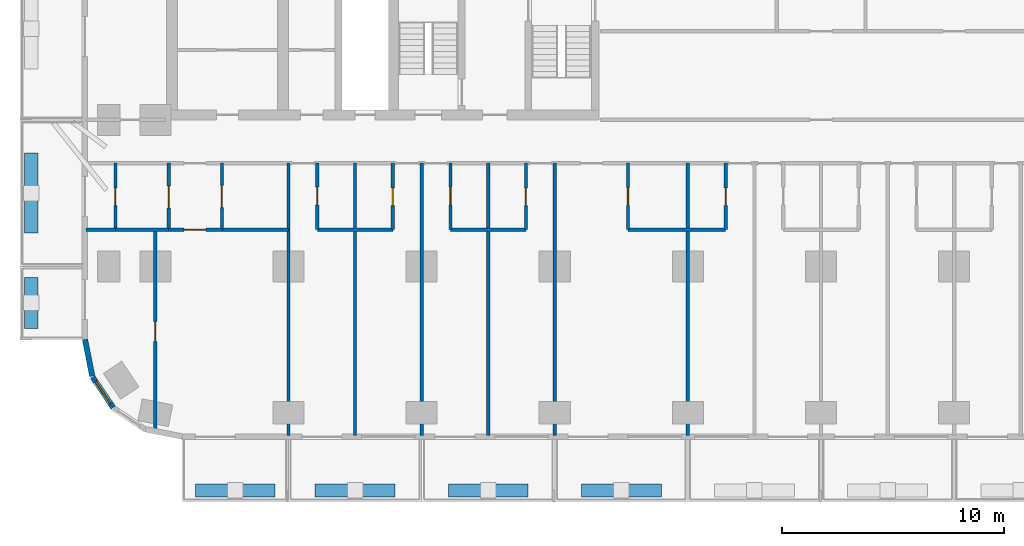
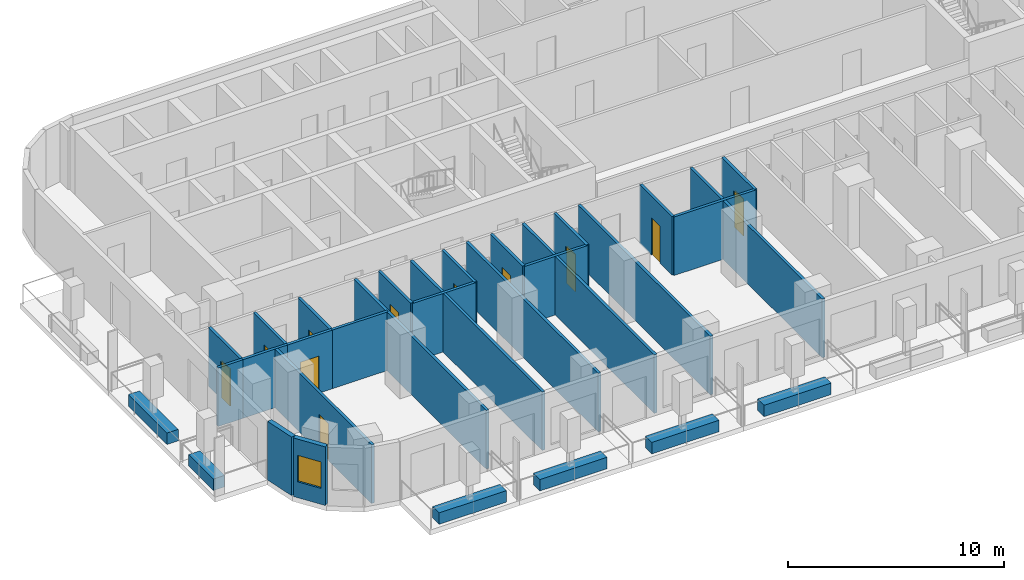
# One storey, part 2 of 15: 31 walls, 11 doors, 1 window, 12 openings.
"""IFC4 building model written with IfcOpenShell, lengths in metres."""

import ifcopenshell
import ifcopenshell.guid

model = None  # the IFC model being written
_history = None  # IfcOwnerHistory: only IFC2X3 demands one
_inside = {}  # id of a spatial element -> (the spatial element, [elements in it])
_under = {}  # id of a project, library or spatial element -> (it, [spatial elements below it])
_declared = {}  # id of a project -> (the project, [libraries it declares])
_typed = {}  # id of a type object -> (the type object, [elements of that type])
_made_of = {}  # id of a material, layer set ... -> (it, [elements and type objects made of it])


def new_model(schema):
    """Start an empty IFC model of exactly this schema.

    Asked for "IFC4X3", IfcOpenShell would pick the latest addendum, in which some entities
    have other attributes; the version numbers below select the first issue.
    IFC2X3 requires an IfcOwnerHistory on every rooted entity: one is made here for all.
    """
    global model, _history
    if schema == "IFC4X3":
        model = ifcopenshell.file(schema_version=(4, 3, 0, 0))
    else:
        model = ifcopenshell.file(schema=schema)
    _inside.clear()
    _under.clear()
    _declared.clear()
    _typed.clear()
    _made_of.clear()
    _history = None
    if model.schema == "IFC2X3":
        org = make("IfcOrganization", Name="unknown")
        user = make(
            "IfcPersonAndOrganization",
            ThePerson=make("IfcPerson", FamilyName="unknown"),
            TheOrganization=org,
        )
        app = make(
            "IfcApplication",
            ApplicationDeveloper=org,
            Version="unknown",
            ApplicationFullName="unknown",
            ApplicationIdentifier="unknown",
        )
        _history = make(
            "IfcOwnerHistory",
            OwningUser=user,
            OwningApplication=app,
            ChangeAction="ADDED",
            CreationDate=0,
        )
    return model


def make(cls, **values):
    """One entity of the class cls with the attributes given. An attribute that is None is left unset."""
    return model.create_entity(
        cls, **{name: value for name, value in values.items() if value is not None}
    )


def rooted(cls, **values):
    """An entity with a GlobalId (a new one), such as an element, a storey or a relation."""
    return make(cls, GlobalId=ifcopenshell.guid.new(), OwnerHistory=_history, **values)


def si_unit(unit_type, name, prefix=None):
    """IfcSIUnit, for example si_unit("LENGTHUNIT", "METRE", prefix="MILLI")."""
    return make("IfcSIUnit", UnitType=unit_type, Prefix=prefix, Name=name)


def assignment(units):
    """IfcUnitAssignment: the units of a project."""
    return None if units is None else make("IfcUnitAssignment", Units=units)


def point(xyz):
    """IfcCartesianPoint."""
    return None if xyz is None else make("IfcCartesianPoint", Coordinates=xyz)


def direction(xyz):
    """IfcDirection."""
    return None if xyz is None else make("IfcDirection", DirectionRatios=xyz)


def frame(location, z_axis=None, x_axis=None):
    """IfcAxis2Placement3D, a coordinate frame: its origin and axes. An axis left out is left unset."""
    return make(
        "IfcAxis2Placement3D",
        Location=point(location),
        Axis=direction(z_axis),
        RefDirection=direction(x_axis),
    )


def frame_2d(location, x_axis=None):
    """IfcAxis2Placement2D, a coordinate frame in the plane: its origin and x axis."""
    return make(
        "IfcAxis2Placement2D", Location=point(location), RefDirection=direction(x_axis)
    )


def origin():
    """The frame at (0, 0, 0) with its axes left unset."""
    return frame((0.0, 0.0, 0.0))


def place(relative_to, where):
    """IfcLocalPlacement: puts the frame where relative to a parent placement (None: the world)."""
    return make(
        "IfcLocalPlacement", PlacementRelTo=relative_to, RelativePlacement=where
    )


def context(
    kind, dimensions, precision=None, world=None, true_north=None, identifier=None
):
    """IfcGeometricRepresentationContext, for example the 3D "Model" context."""
    return make(
        "IfcGeometricRepresentationContext",
        ContextIdentifier=identifier,
        ContextType=kind,
        CoordinateSpaceDimension=dimensions,
        Precision=precision,
        WorldCoordinateSystem=world,
        TrueNorth=true_north,
    )


def subcontext(parent, identifier, kind, view, scale=None):
    """IfcGeometricRepresentationSubContext, for example "Body" below "Model"."""
    return make(
        "IfcGeometricRepresentationSubContext",
        ContextIdentifier=identifier,
        ContextType=kind,
        ParentContext=parent,
        TargetScale=scale,
        TargetView=view,
    )


def project(units=None, contexts=None):
    """IfcProject with its units and contexts."""
    return rooted(
        "IfcProject",
        Name="project",
        RepresentationContexts=contexts,
        UnitsInContext=assignment(units),
    )


def spatial(cls, under=None, at=None, **own):
    """A site, building, storey or space (cls), placed at a placement, below another one or the project."""
    s = rooted(cls, ObjectPlacement=at, **own)
    if under is not None:
        _under.setdefault(under.id(), (under, []))[1].append(s)
    return s


def profile(cls, at=None, kind="AREA", **sizes):
    """A parametric profile (cls). Its sizes go by their IFC names, for example OverallWidth=200.0."""
    return make(cls, ProfileType=kind, Position=at, **sizes)


def rectangle(**sizes):
    """IfcRectangleProfileDef."""
    return profile("IfcRectangleProfileDef", **sizes)


def extrude(swept, where, along, depth):
    """IfcExtrudedAreaSolid: the profile swept, set in the frame where, extruded along a direction by depth."""
    return make(
        "IfcExtrudedAreaSolid",
        SweptArea=swept,
        Position=where,
        ExtrudedDirection=direction(along),
        Depth=depth,
    )


def shape(context_of_items, identifier, shape_type, items):
    """IfcShapeRepresentation: the items that make up one representation, for example the "Body"."""
    return make(
        "IfcShapeRepresentation",
        ContextOfItems=context_of_items,
        RepresentationIdentifier=identifier,
        RepresentationType=shape_type,
        Items=items,
    )


def material(Name=None, Category=None):
    """IfcMaterial."""
    return make("IfcMaterial", Name=Name, Category=Category)


def layer(
    of_material, thickness, ventilated=None, Name=None, Category=None, Priority=None
):
    """IfcMaterialLayer: one layer of a wall or slab, of a material (None: an air gap)."""
    return make(
        "IfcMaterialLayer",
        Material=of_material,
        LayerThickness=thickness,
        IsVentilated=ventilated,
        Name=Name,
        Category=Category,
        Priority=Priority,
    )


def layer_set(layers, Name=None):
    """IfcMaterialLayerSet."""
    return make("IfcMaterialLayerSet", MaterialLayers=layers, LayerSetName=Name)


def made_of(thing, what):
    """Note that an element or type object is made of a material, layer set ...; save() writes the relation."""
    if what is not None:
        _made_of.setdefault(what.id(), (what, []))[1].append(thing)
    return thing


def type_object(cls, material=None, **own):
    """A type object (cls), such as IfcWallType, which elements share."""
    return made_of(rooted(cls, **own), material)


def element(
    cls,
    number,
    at=None,
    inside=None,
    cuts=None,
    type_object=None,
    material=None,
    context=None,
    identifier="Body",
    shape_type=None,
    held_by="IfcProductDefinitionShape",
    body=None,
    shapes=None,
    **own,
):
    """One element of the class cls, such as IfcWall. Its Tag is "e" and its number.

    at: its placement. inside: the storey or other place that contains it. cuts: it is an
    opening in that element (IfcRelVoidsElement). A single representation is given by context,
    identifier, shape_type and body (its items); several are given by shapes. held_by: the class
    of the entity that holds the representations. save() writes the other relations.
    """
    e = rooted(cls, Tag="e%d" % number, ObjectPlacement=at, **own)
    if body is not None:
        shapes = [shape(context, identifier, shape_type, body)]
    if shapes is not None:
        e.Representation = make(held_by, Representations=shapes)
    if inside is not None:
        _inside.setdefault(inside.id(), (inside, []))[1].append(e)
    if cuts is not None:
        rooted(
            "IfcRelVoidsElement", RelatingBuildingElement=cuts, RelatedOpeningElement=e
        )
    if type_object is not None:
        _typed.setdefault(type_object.id(), (type_object, []))[1].append(e)
    return made_of(e, material)


def fill(opening, filler):
    """IfcRelFillsElement: the door or window that sits in an opening."""
    return rooted(
        "IfcRelFillsElement",
        RelatingOpeningElement=opening,
        RelatedBuildingElement=filler,
    )


def aggregate(whole, parts):
    """IfcRelAggregates: a whole, such as a stair, and the parts it consists of."""
    return rooted("IfcRelAggregates", RelatingObject=whole, RelatedObjects=parts)


def save(model, path):
    """Write the relations noted so far, then the file.

    IfcRelAggregates (storeys below a building ...), IfcRelContainedInSpatialStructure (elements
    in a storey), IfcRelDefinesByType, IfcRelAssociatesMaterial and IfcRelDeclares: one each for
    every whole, place, type object, material and project.
    """
    for whole, parts in _under.values():
        aggregate(whole, parts)
    for where, things in _inside.values():
        rooted(
            "IfcRelContainedInSpatialStructure",
            RelatedElements=things,
            RelatingStructure=where,
        )
    for kind, things in _typed.values():
        rooted("IfcRelDefinesByType", RelatedObjects=things, RelatingType=kind)
    for what, things in _made_of.values():
        rooted("IfcRelAssociatesMaterial", RelatedObjects=things, RelatingMaterial=what)
    for by, libraries in _declared.values():
        rooted("IfcRelDeclares", RelatingContext=by, RelatedDefinitions=libraries)
    model.write(path)


model = new_model("IFC4")

# Units and contexts
model_context = context("Model", 3, precision=1e-05, world=origin(), true_north=direction((0.0, 1.0)))
body_context = subcontext(model_context, "Body", "Model", "MODEL_VIEW")
ifc_project = project(units=[si_unit("LENGTHUNIT", "METRE"), si_unit("AREAUNIT", "SQUARE_METRE"), si_unit("VOLUMEUNIT", "CUBIC_METRE"), si_unit("PLANEANGLEUNIT", "RADIAN"), si_unit("MASSUNIT", "GRAM", prefix="KILO")], contexts=[model_context])

# Site, building, storey
site_placement = place(None, origin())
site = spatial("IfcSite", under=ifc_project, at=site_placement, CompositionType="ELEMENT")
building_placement = place(site_placement, origin())
building = spatial("IfcBuilding", under=site, at=building_placement, Name="Torana Hotel and Residences", CompositionType="ELEMENT")
storey_placement = place(building_placement, frame((0.0, 0.0, 24.0)))
storey = spatial("IfcBuildingStorey", under=building, at=storey_placement, Name="L04", CompositionType="ELEMENT", Elevation=24.0)

# Wall
ifc_material_1 = material(Name="Black aluminium composite panel", Category="aluminium")
ifc_layer_1 = layer(ifc_material_1, 0.00390625, Name="Cladding", Category="cladding")
ifc_material_2 = material(Name="Ventilated air cavity")
ifc_layer_2 = layer(ifc_material_2, 0.0400390625, Name="Ventilated cavity", Category="cavity")
ifc_material_3 = material(Name="Mineral wool insulation")
ifc_layer_3 = layer(ifc_material_3, 0.090087890625, Name="Insulation", Category="insulation")
ifc_material_4 = material(Name="Steel S280GD", Category="steel")
ifc_layer_4 = layer(ifc_material_4, 0.092041015625, Name="Steel stud frame", Category="structure")
ifc_material_5 = material(Name="Fire rated plasterboard")
ifc_layer_5 = layer(ifc_material_5, 0.011962890625, Name="Inner board", Category="finish")
ifc_layer_6 = layer(ifc_material_5, 0.011962890625, Name="Second board", Category="finish")
ifc_layer_set_1 = layer_set([ifc_layer_1, ifc_layer_2, ifc_layer_3, ifc_layer_4, ifc_layer_5, ifc_layer_6], Name="EW1 EXTERNAL WALL BLACK METAL CLAD 250")
wall_type_1 = type_object("IfcWallType", Name="EW1 EXTERNAL WALL BLACK METAL CLAD 250", PredefinedType="SOLIDWALL", material=ifc_layer_set_1)
wall_1_placement = place(storey_placement, frame((-33.172607421875, -24.89990234375, 0.0), z_axis=(0.0, 0.0, 1.0), x_axis=(0.195166572128, -0.980770110232, 0.0)))
element("IfcWall", 1, at=wall_1_placement, inside=storey, type_object=wall_type_1, Name="External wall L04 e0.10", PredefinedType="SOLIDWALL", context=body_context, shape_type="SweptSolid", body=[
    extrude(rectangle(XDim=1.68115234375, YDim=0.25, at=frame_2d((0.840576171875, 0.0))), origin(), (0.0, 0.0, 1.0), 3.320068359375),
])

# Wall, opening, window
wall_2_placement = place(storey_placement, frame((-32.825927734375, -26.593994140625, 0.0), z_axis=(0.0, 0.0, 1.0), x_axis=(0.55555029066, -0.831482937015, 0.0)))
wall_2 = element("IfcWall", 2, at=wall_2_placement, inside=storey, type_object=wall_type_1, Name="External wall L04 e0.11", PredefinedType="SOLIDWALL", context=body_context, shape_type="SweptSolid", body=[
    extrude(rectangle(XDim=1.65625, YDim=0.25, at=frame_2d((0.828125, 0.0))), origin(), (0.0, 0.0, 1.0), 3.320068359375),
])
opening_1_placement = place(wall_2_placement, frame((0.228271484375, 0.0, 0.89990234375)))
opening_1 = element("IfcOpeningElement", 3, at=opening_1_placement, cuts=wall_2, Name="Opening W5", PredefinedType="OPENING", context=body_context, shape_type="SweptSolid", body=[
    extrude(rectangle(XDim=1.199951171875, YDim=1.5, at=frame_2d((0.60009765625, 0.75))), frame((0.0, 0.135009765625, 0.0), z_axis=(0.0, -1.0, 0.0), x_axis=(1.0, 0.0, 0.0)), (0.0, 0.0, 1.0), 0.27001953125),
])
ifc_material_6 = material(Name="Dark glass in black aluminium frame", Category="aluminium")
window_type = type_object("IfcWindowType", Name="W5 CORNER FACET WINDOW 1200x1500", PartitioningType="SINGLE_PANEL", PredefinedType="WINDOW", material=ifc_material_6)
window_placement = place(opening_1_placement, origin())
window = element("IfcWindow", 4, at=window_placement, inside=storey, type_object=window_type, Name="Window L04 e0.11", OverallHeight=1.5, OverallWidth=1.199951171875, PartitioningType="SINGLE_PANEL", PredefinedType="WINDOW", context=body_context, shape_type="SweptSolid", body=[
    extrude(rectangle(XDim=1.199951171875, YDim=1.5, at=frame_2d((0.60009765625, 0.75))), frame((0.0, 0.030029296875, 0.0), z_axis=(0.0, -1.0, 0.0), x_axis=(1.0, 0.0, 0.0)), (0.0, 0.0, 1.0), 0.06005859375),
])
fill(opening_1, window)

# Wall, opening, door
ifc_material_7 = material(Name="Gypsum plaster")
ifc_layer_7 = layer(ifc_material_7, 0.014892578125, Name="Plaster", Category="finish")
ifc_material_8 = material(Name="Concrete blockwork", Category="masonry")
ifc_layer_8 = layer(ifc_material_8, 0.1201171875, Name="Blockwork", Category="structure")
ifc_layer_9 = layer(ifc_material_7, 0.014892578125, Name="Plaster", Category="finish")
ifc_layer_set_2 = layer_set([ifc_layer_7, ifc_layer_8, ifc_layer_9], Name="FIRE PARTITION 150 BLOCKWORK")
wall_type_2 = type_object("IfcWallType", Name="FIRE PARTITION 150 BLOCKWORK", PredefinedType="PARTITIONING", material=ifc_layer_set_2)
wall_3_placement = place(storey_placement, frame((-27.0, -19.949951171875, 0.0), z_axis=(0.0, 0.0, 1.0), x_axis=(0.0, 1.0, 0.0)))
wall_3 = element("IfcWall", 5, at=wall_3_placement, inside=storey, type_object=wall_type_2, Name="Partition L04", PredefinedType="PARTITIONING", context=body_context, shape_type="SweptSolid", body=[
    extrude(rectangle(XDim=3.0, YDim=0.14990234375, at=frame_2d((1.5, 0.0))), origin(), (0.0, 0.0, 1.0), 3.320068359375),
])
opening_2_placement = place(wall_3_placement, frame((1.0, 0.0, 0.0)))
opening_2 = element("IfcOpeningElement", 6, at=opening_2_placement, cuts=wall_3, Name="Opening L04-82", PredefinedType="OPENING", context=body_context, shape_type="SweptSolid", body=[
    extrude(rectangle(XDim=1.0, YDim=2.10009765625, at=frame_2d((0.5, 1.050048828125))), frame((0.0, 0.0849609375, 0.0), z_axis=(0.0, -1.0, 0.0), x_axis=(1.0, 0.0, 0.0)), (0.0, 0.0, 1.0), 0.169921875),
])
ifc_material_9 = material(Name="Steel S235", Category="steel")
door_type_1 = type_object("IfcDoorType", Name="ENTRY FIRE DOOR D6 1000x2100", OperationType="SINGLE_SWING_LEFT", PredefinedType="DOOR", material=ifc_material_9)
door_1_placement = place(opening_2_placement, frame((0.5, 0.0, 0.0), z_axis=(0.0, 0.0, 1.0), x_axis=(-1.0, 0.0, 0.0)))
door_1 = element("IfcDoor", 7, at=door_1_placement, inside=storey, type_object=door_type_1, Name="Door L04", OperationType="SINGLE_SWING_LEFT", OverallHeight=2.10009765625, OverallWidth=1.0, PredefinedType="DOOR", context=body_context, shape_type="SweptSolid", body=[
    extrude(rectangle(XDim=1.0, YDim=2.10009765625, at=frame_2d((0.0, 1.050048828125))), frame((0.0, -0.02490234375, 0.0), z_axis=(0.0, 1.0, 0.0), x_axis=(-1.0, 0.0, 0.0)), (0.0, 0.0, 1.0), 0.050048828125),
])
fill(opening_2, door_1)

wall_4_placement = place(storey_placement, frame((-29.39990234375, -19.949951171875, 0.0), z_axis=(0.0, 0.0, 1.0), x_axis=(0.0, 1.0, 0.0)))
wall_4 = element("IfcWall", 8, at=wall_4_placement, inside=storey, type_object=wall_type_2, Name="Partition L04", PredefinedType="PARTITIONING", context=body_context, shape_type="SweptSolid", body=[
    extrude(rectangle(XDim=3.0, YDim=0.14990234375, at=frame_2d((1.5, 0.0))), origin(), (0.0, 0.0, 1.0), 3.320068359375),
])
opening_3_placement = place(wall_4_placement, frame((0.97998046875, 0.0, 0.0)))
opening_3 = element("IfcOpeningElement", 9, at=opening_3_placement, cuts=wall_4, Name="Opening L04-83", PredefinedType="OPENING", context=body_context, shape_type="SweptSolid", body=[
    extrude(rectangle(XDim=1.0, YDim=2.10009765625, at=frame_2d((0.5, 1.050048828125))), frame((0.0, 0.0849609375, 0.0), z_axis=(0.0, -1.0, 0.0), x_axis=(1.0, 0.0, 0.0)), (0.0, 0.0, 1.0), 0.169921875),
])
door_2_placement = place(opening_3_placement, origin())
door_2 = element("IfcDoor", 10, at=door_2_placement, inside=storey, type_object=door_type_1, Name="Door L04", OperationType="SINGLE_SWING_RIGHT", OverallHeight=2.10009765625, OverallWidth=1.0, PredefinedType="DOOR", context=body_context, shape_type="SweptSolid", body=[
    extrude(rectangle(XDim=1.0, YDim=2.10009765625, at=frame_2d((0.5, 1.050048828125))), frame((0.0, 0.02490234375, 0.0), z_axis=(0.0, -1.0, 0.0), x_axis=(1.0, 0.0, 0.0)), (0.0, 0.0, 1.0), 0.050048828125),
])
fill(opening_3, door_2)

wall_5_placement = place(storey_placement, frame((-29.39990234375, -19.949951171875, 0.0), z_axis=(0.0, 0.0, 1.0), x_axis=(1.0, 0.0, 0.0)))
wall_5 = element("IfcWall", 11, at=wall_5_placement, inside=storey, type_object=wall_type_2, Name="Partition L04", PredefinedType="PARTITIONING", context=body_context, shape_type="SweptSolid", body=[
    extrude(rectangle(XDim=2.39990234375, YDim=0.14990234375, at=frame_2d((1.199951171875, 0.0))), origin(), (0.0, 0.0, 1.0), 3.320068359375),
])
opening_4_placement = place(wall_5_placement, frame((0.679931640625, 0.0, 0.0)))
opening_4 = element("IfcOpeningElement", 12, at=opening_4_placement, cuts=wall_5, Name="Opening L04-84", PredefinedType="OPENING", context=body_context, shape_type="SweptSolid", body=[
    extrude(rectangle(XDim=1.0, YDim=2.10009765625, at=frame_2d((0.5, 1.050048828125))), frame((0.0, 0.0849609375, 0.0), z_axis=(0.0, -1.0, 0.0), x_axis=(1.0, 0.0, 0.0)), (0.0, 0.0, 1.0), 0.169921875),
])
door_3_placement = place(opening_4_placement, frame((0.5, 0.0, 0.0), z_axis=(0.0, 0.0, 1.0), x_axis=(-1.0, 0.0, 0.0)))
door_3 = element("IfcDoor", 13, at=door_3_placement, inside=storey, type_object=door_type_1, Name="Door L04", OperationType="SINGLE_SWING_LEFT", OverallHeight=2.10009765625, OverallWidth=1.0, PredefinedType="DOOR", context=body_context, shape_type="SweptSolid", body=[
    extrude(rectangle(XDim=1.0, YDim=2.10009765625, at=frame_2d((0.0, 1.050048828125))), frame((0.0, -0.02490234375, 0.0), z_axis=(0.0, 1.0, 0.0), x_axis=(-1.0, 0.0, 0.0)), (0.0, 0.0, 1.0), 0.050048828125),
])
fill(opening_4, door_3)

ifc_material_10 = material(Name="Gypsum plasterboard")
ifc_layer_10 = layer(ifc_material_10, 0.012451171875, Name="Plasterboard", Category="finish")
ifc_layer_11 = layer(ifc_material_10, 0.012451171875, Name="Plasterboard", Category="finish")
ifc_layer_12 = layer(ifc_material_4, 0.10009765625, Name="Steel studs with mineral wool", Category="insulation")
ifc_layer_13 = layer(ifc_material_10, 0.012451171875, Name="Plasterboard", Category="finish")
ifc_layer_14 = layer(ifc_material_10, 0.012451171875, Name="Plasterboard", Category="finish")
ifc_layer_set_3 = layer_set([ifc_layer_10, ifc_layer_11, ifc_layer_12, ifc_layer_13, ifc_layer_14], Name="PARTITION 150 PLASTERBOARD")
wall_type_3 = type_object("IfcWallType", Name="PARTITION 150 PLASTERBOARD", PredefinedType="PARTITIONING", material=ifc_layer_set_3)
wall_6_placement = place(storey_placement, frame((-4.300048828125, -19.949951171875, 0.0), z_axis=(0.0, 0.0, 1.0), x_axis=(0.0, 1.0, 0.0)))
wall_6 = element("IfcWall", 14, at=wall_6_placement, inside=storey, type_object=wall_type_3, Name="Partition L04", PredefinedType="PARTITIONING", context=body_context, shape_type="SweptSolid", body=[
    extrude(rectangle(XDim=3.0, YDim=0.14990234375, at=frame_2d((1.5, 0.0))), origin(), (0.0, 0.0, 1.0), 3.320068359375),
])
opening_5_placement = place(wall_6_placement, frame((1.080078125, 0.0, 0.0)))
opening_5 = element("IfcOpeningElement", 15, at=opening_5_placement, cuts=wall_6, Name="Opening L04-72", PredefinedType="OPENING", context=body_context, shape_type="SweptSolid", body=[
    extrude(rectangle(XDim=0.800048828125, YDim=2.10009765625, at=frame_2d((0.39990234375, 1.050048828125))), frame((0.0, 0.0849609375, 0.0), z_axis=(0.0, -1.0, 0.0), x_axis=(1.0, 0.0, 0.0)), (0.0, 0.0, 1.0), 0.169921875),
])
ifc_material_11 = material(Name="Timber door, painted", Category="wood")
door_type_2 = type_object("IfcDoorType", Name="BATH DOOR D13 800x2100", OperationType="SINGLE_SWING_LEFT", PredefinedType="DOOR", material=ifc_material_11)
door_4_placement = place(opening_5_placement, origin())
door_4 = element("IfcDoor", 16, at=door_4_placement, inside=storey, type_object=door_type_2, Name="Door L04", OperationType="SINGLE_SWING_RIGHT", OverallHeight=2.10009765625, OverallWidth=0.800048828125, PredefinedType="DOOR", context=body_context, shape_type="SweptSolid", body=[
    extrude(rectangle(XDim=0.800048828125, YDim=2.10009765625, at=frame_2d((0.39990234375, 1.050048828125))), frame((0.0, 0.02490234375, 0.0), z_axis=(0.0, -1.0, 0.0), x_axis=(1.0, 0.0, 0.0)), (0.0, 0.0, 1.0), 0.050048828125),
])
fill(opening_5, door_4)

# Wall
wall_7_placement = place(storey_placement, frame((-6.0, -29.219970703125, 0.0), z_axis=(0.0, 0.0, 1.0), x_axis=(0.0, 1.0, 0.0)))
element("IfcWall", 17, at=wall_7_placement, inside=storey, type_object=wall_type_3, Name="Partition L04", PredefinedType="PARTITIONING", context=body_context, shape_type="SweptSolid", body=[
    extrude(rectangle(XDim=12.27001953125, YDim=0.14990234375, at=frame_2d((6.135009765625, 0.0))), origin(), (0.0, 0.0, 1.0), 3.320068359375),
])

# Wall, opening, door
wall_8_placement = place(storey_placement, frame((-8.699951171875, -19.949951171875, 0.0), z_axis=(0.0, 0.0, 1.0), x_axis=(0.0, 1.0, 0.0)))
wall_8 = element("IfcWall", 18, at=wall_8_placement, inside=storey, type_object=wall_type_3, Name="Partition L04", PredefinedType="PARTITIONING", context=body_context, shape_type="SweptSolid", body=[
    extrude(rectangle(XDim=3.0, YDim=0.14990234375, at=frame_2d((1.5, 0.0))), origin(), (0.0, 0.0, 1.0), 3.320068359375),
])
opening_6_placement = place(wall_8_placement, frame((1.10009765625, 0.0, 0.0)))
opening_6 = element("IfcOpeningElement", 19, at=opening_6_placement, cuts=wall_8, Name="Opening L04-71", PredefinedType="OPENING", context=body_context, shape_type="SweptSolid", body=[
    extrude(rectangle(XDim=0.800048828125, YDim=2.10009765625, at=frame_2d((0.39990234375, 1.050048828125))), frame((0.0, 0.0849609375, 0.0), z_axis=(0.0, -1.0, 0.0), x_axis=(1.0, 0.0, 0.0)), (0.0, 0.0, 1.0), 0.169921875),
])
door_5_placement = place(opening_6_placement, origin())
door_5 = element("IfcDoor", 20, at=door_5_placement, inside=storey, type_object=door_type_2, Name="Door L04", OperationType="SINGLE_SWING_LEFT", OverallHeight=2.10009765625, OverallWidth=0.800048828125, PredefinedType="DOOR", context=body_context, shape_type="SweptSolid", body=[
    extrude(rectangle(XDim=0.800048828125, YDim=2.10009765625, at=frame_2d((0.39990234375, 1.050048828125))), frame((0.0, 0.02490234375, 0.0), z_axis=(0.0, -1.0, 0.0), x_axis=(1.0, 0.0, 0.0)), (0.0, 0.0, 1.0), 0.050048828125),
])
fill(opening_6, door_5)

# Wall
wall_9_placement = place(storey_placement, frame((-12.0, -29.219970703125, 0.0), z_axis=(0.0, 0.0, 1.0), x_axis=(0.0, 1.0, 0.0)))
element("IfcWall", 21, at=wall_9_placement, inside=storey, type_object=wall_type_3, Name="Partition L04", PredefinedType="PARTITIONING", context=body_context, shape_type="SweptSolid", body=[
    extrude(rectangle(XDim=12.27001953125, YDim=0.14990234375, at=frame_2d((6.135009765625, 0.0))), origin(), (0.0, 0.0, 1.0), 3.320068359375),
])

# Wall, opening, door
wall_10_placement = place(storey_placement, frame((-13.300048828125, -19.949951171875, 0.0), z_axis=(0.0, 0.0, 1.0), x_axis=(0.0, 1.0, 0.0)))
wall_10 = element("IfcWall", 22, at=wall_10_placement, inside=storey, type_object=wall_type_3, Name="Partition L04", PredefinedType="PARTITIONING", context=body_context, shape_type="SweptSolid", body=[
    extrude(rectangle(XDim=3.0, YDim=0.14990234375, at=frame_2d((1.5, 0.0))), origin(), (0.0, 0.0, 1.0), 3.320068359375),
])
opening_7_placement = place(wall_10_placement, frame((1.080078125, 0.0, 0.0)))
opening_7 = element("IfcOpeningElement", 23, at=opening_7_placement, cuts=wall_10, Name="Opening L04-70", PredefinedType="OPENING", context=body_context, shape_type="SweptSolid", body=[
    extrude(rectangle(XDim=0.800048828125, YDim=2.10009765625, at=frame_2d((0.39990234375, 1.050048828125))), frame((0.0, 0.0849609375, 0.0), z_axis=(0.0, -1.0, 0.0), x_axis=(1.0, 0.0, 0.0)), (0.0, 0.0, 1.0), 0.169921875),
])
door_6_placement = place(opening_7_placement, origin())
door_6 = element("IfcDoor", 24, at=door_6_placement, inside=storey, type_object=door_type_2, Name="Door L04", OperationType="SINGLE_SWING_RIGHT", OverallHeight=2.10009765625, OverallWidth=0.800048828125, PredefinedType="DOOR", context=body_context, shape_type="SweptSolid", body=[
    extrude(rectangle(XDim=0.800048828125, YDim=2.10009765625, at=frame_2d((0.39990234375, 1.050048828125))), frame((0.0, 0.02490234375, 0.0), z_axis=(0.0, -1.0, 0.0), x_axis=(1.0, 0.0, 0.0)), (0.0, 0.0, 1.0), 0.050048828125),
])
fill(opening_7, door_6)

# Wall
wall_11_placement = place(storey_placement, frame((-15.0, -29.219970703125, 0.0), z_axis=(0.0, 0.0, 1.0), x_axis=(0.0, 1.0, 0.0)))
element("IfcWall", 25, at=wall_11_placement, inside=storey, type_object=wall_type_3, Name="Partition L04", PredefinedType="PARTITIONING", context=body_context, shape_type="SweptSolid", body=[
    extrude(rectangle(XDim=12.27001953125, YDim=0.14990234375, at=frame_2d((6.135009765625, 0.0))), origin(), (0.0, 0.0, 1.0), 3.320068359375),
])

# Wall, opening, door
wall_12_placement = place(storey_placement, frame((-16.699951171875, -19.949951171875, 0.0), z_axis=(0.0, 0.0, 1.0), x_axis=(0.0, 1.0, 0.0)))
wall_12 = element("IfcWall", 26, at=wall_12_placement, inside=storey, type_object=wall_type_3, Name="Partition L04", PredefinedType="PARTITIONING", context=body_context, shape_type="SweptSolid", body=[
    extrude(rectangle(XDim=3.0, YDim=0.14990234375, at=frame_2d((1.5, 0.0))), origin(), (0.0, 0.0, 1.0), 3.320068359375),
])
opening_8_placement = place(wall_12_placement, frame((1.1201171875, 0.0, 0.0)))
opening_8 = element("IfcOpeningElement", 27, at=opening_8_placement, cuts=wall_12, Name="Opening L04-69", PredefinedType="OPENING", context=body_context, shape_type="SweptSolid", body=[
    extrude(rectangle(XDim=0.800048828125, YDim=2.10009765625, at=frame_2d((0.39990234375, 1.050048828125))), frame((0.0, 0.0849609375, 0.0), z_axis=(0.0, -1.0, 0.0), x_axis=(1.0, 0.0, 0.0)), (0.0, 0.0, 1.0), 0.169921875),
])
door_7_placement = place(opening_8_placement, origin())
door_7 = element("IfcDoor", 28, at=door_7_placement, inside=storey, type_object=door_type_2, Name="Door L04", OperationType="SINGLE_SWING_LEFT", OverallHeight=2.10009765625, OverallWidth=0.800048828125, PredefinedType="DOOR", context=body_context, shape_type="SweptSolid", body=[
    extrude(rectangle(XDim=0.800048828125, YDim=2.10009765625, at=frame_2d((0.39990234375, 1.050048828125))), frame((0.0, 0.02490234375, 0.0), z_axis=(0.0, -1.0, 0.0), x_axis=(1.0, 0.0, 0.0)), (0.0, 0.0, 1.0), 0.050048828125),
])
fill(opening_8, door_7)

# Wall
wall_13_placement = place(storey_placement, frame((-18.0, -29.219970703125, 0.0), z_axis=(0.0, 0.0, 1.0), x_axis=(0.0, 1.0, 0.0)))
element("IfcWall", 29, at=wall_13_placement, inside=storey, type_object=wall_type_3, Name="Partition L04", PredefinedType="PARTITIONING", context=body_context, shape_type="SweptSolid", body=[
    extrude(rectangle(XDim=12.27001953125, YDim=0.14990234375, at=frame_2d((6.135009765625, 0.0))), origin(), (0.0, 0.0, 1.0), 3.320068359375),
])

# Wall, opening, door
wall_14_placement = place(storey_placement, frame((-19.300048828125, -19.949951171875, 0.0), z_axis=(0.0, 0.0, 1.0), x_axis=(0.0, 1.0, 0.0)))
wall_14 = element("IfcWall", 30, at=wall_14_placement, inside=storey, type_object=wall_type_3, Name="Partition L04", PredefinedType="PARTITIONING", context=body_context, shape_type="SweptSolid", body=[
    extrude(rectangle(XDim=3.0, YDim=0.14990234375, at=frame_2d((1.5, 0.0))), origin(), (0.0, 0.0, 1.0), 3.320068359375),
])
opening_9_placement = place(wall_14_placement, frame((1.080078125, 0.0, 0.0)))
opening_9 = element("IfcOpeningElement", 31, at=opening_9_placement, cuts=wall_14, Name="Opening L04-68", PredefinedType="OPENING", context=body_context, shape_type="SweptSolid", body=[
    extrude(rectangle(XDim=0.800048828125, YDim=2.10009765625, at=frame_2d((0.39990234375, 1.050048828125))), frame((0.0, 0.0849609375, 0.0), z_axis=(0.0, -1.0, 0.0), x_axis=(1.0, 0.0, 0.0)), (0.0, 0.0, 1.0), 0.169921875),
])
door_8_placement = place(opening_9_placement, origin())
door_8 = element("IfcDoor", 32, at=door_8_placement, inside=storey, type_object=door_type_2, Name="Door L04", OperationType="SINGLE_SWING_RIGHT", OverallHeight=2.10009765625, OverallWidth=0.800048828125, PredefinedType="DOOR", context=body_context, shape_type="SweptSolid", body=[
    extrude(rectangle(XDim=0.800048828125, YDim=2.10009765625, at=frame_2d((0.39990234375, 1.050048828125))), frame((0.0, 0.02490234375, 0.0), z_axis=(0.0, -1.0, 0.0), x_axis=(1.0, 0.0, 0.0)), (0.0, 0.0, 1.0), 0.050048828125),
])
fill(opening_9, door_8)

# Wall
wall_15_placement = place(storey_placement, frame((-21.0, -29.219970703125, 0.0), z_axis=(0.0, 0.0, 1.0), x_axis=(0.0, 1.0, 0.0)))
element("IfcWall", 33, at=wall_15_placement, inside=storey, type_object=wall_type_3, Name="Partition L04", PredefinedType="PARTITIONING", context=body_context, shape_type="SweptSolid", body=[
    extrude(rectangle(XDim=12.27001953125, YDim=0.14990234375, at=frame_2d((6.135009765625, 0.0))), origin(), (0.0, 0.0, 1.0), 3.320068359375),
])

# Wall, opening, door
wall_16_placement = place(storey_placement, frame((-22.699951171875, -19.949951171875, 0.0), z_axis=(0.0, 0.0, 1.0), x_axis=(0.0, 1.0, 0.0)))
wall_16 = element("IfcWall", 34, at=wall_16_placement, inside=storey, type_object=wall_type_3, Name="Partition L04", PredefinedType="PARTITIONING", context=body_context, shape_type="SweptSolid", body=[
    extrude(rectangle(XDim=3.0, YDim=0.14990234375, at=frame_2d((1.5, 0.0))), origin(), (0.0, 0.0, 1.0), 3.320068359375),
])
opening_10_placement = place(wall_16_placement, frame((1.1201171875, 0.0, 0.0)))
opening_10 = element("IfcOpeningElement", 35, at=opening_10_placement, cuts=wall_16, Name="Opening L04-67", PredefinedType="OPENING", context=body_context, shape_type="SweptSolid", body=[
    extrude(rectangle(XDim=0.800048828125, YDim=2.10009765625, at=frame_2d((0.39990234375, 1.050048828125))), frame((0.0, 0.0849609375, 0.0), z_axis=(0.0, -1.0, 0.0), x_axis=(1.0, 0.0, 0.0)), (0.0, 0.0, 1.0), 0.169921875),
])
door_9_placement = place(opening_10_placement, origin())
door_9 = element("IfcDoor", 36, at=door_9_placement, inside=storey, type_object=door_type_2, Name="Door L04", OperationType="SINGLE_SWING_LEFT", OverallHeight=2.10009765625, OverallWidth=0.800048828125, PredefinedType="DOOR", context=body_context, shape_type="SweptSolid", body=[
    extrude(rectangle(XDim=0.800048828125, YDim=2.10009765625, at=frame_2d((0.39990234375, 1.050048828125))), frame((0.0, 0.02490234375, 0.0), z_axis=(0.0, -1.0, 0.0), x_axis=(1.0, 0.0, 0.0)), (0.0, 0.0, 1.0), 0.050048828125),
])
fill(opening_10, door_9)

# Wall
wall_17_placement = place(storey_placement, frame((-24.0, -29.219970703125, 0.0), z_axis=(0.0, 0.0, 1.0), x_axis=(0.0, 1.0, 0.0)))
element("IfcWall", 37, at=wall_17_placement, inside=storey, type_object=wall_type_3, Name="Partition L04", PredefinedType="PARTITIONING", context=body_context, shape_type="SweptSolid", body=[
    extrude(rectangle(XDim=12.27001953125, YDim=0.14990234375, at=frame_2d((6.135009765625, 0.0))), origin(), (0.0, 0.0, 1.0), 3.320068359375),
])

# Wall, opening, door
wall_18_placement = place(storey_placement, frame((-30.0, -28.977783203125, 0.0), z_axis=(0.0, 0.0, 1.0), x_axis=(0.0, 1.0, 0.0)))
wall_18 = element("IfcWall", 38, at=wall_18_placement, inside=storey, type_object=wall_type_3, Name="Partition L04", PredefinedType="PARTITIONING", context=body_context, shape_type="SweptSolid", body=[
    extrude(rectangle(XDim=9.02783203125, YDim=0.14990234375, at=frame_2d((4.513916015625, 0.0))), origin(), (0.0, 0.0, 1.0), 3.320068359375),
])
opening_11_placement = place(wall_18_placement, frame((3.98681640625, 0.0, 0.0)))
opening_11 = element("IfcOpeningElement", 39, at=opening_11_placement, cuts=wall_18, Name="Opening L04-86", PredefinedType="OPENING", context=body_context, shape_type="SweptSolid", body=[
    extrude(rectangle(XDim=0.89990234375, YDim=2.10009765625, at=frame_2d((0.449951171875, 1.050048828125))), frame((0.0, 0.0849609375, 0.0), z_axis=(0.0, -1.0, 0.0), x_axis=(1.0, 0.0, 0.0)), (0.0, 0.0, 1.0), 0.169921875),
])
ifc_material_12 = material(Name="Timber door, oiled ash", Category="wood")
door_type_3 = type_object("IfcDoorType", Name="ROOM DOOR D7 900x2100", OperationType="SINGLE_SWING_LEFT", PredefinedType="DOOR", material=ifc_material_12)
door_10_placement = place(opening_11_placement, origin())
door_10 = element("IfcDoor", 40, at=door_10_placement, inside=storey, type_object=door_type_3, Name="Door L04", OperationType="SINGLE_SWING_RIGHT", OverallHeight=2.10009765625, OverallWidth=0.89990234375, PredefinedType="DOOR", context=body_context, shape_type="SweptSolid", body=[
    extrude(rectangle(XDim=0.89990234375, YDim=2.10009765625, at=frame_2d((0.449951171875, 1.050048828125))), frame((0.0, 0.02490234375, 0.0), z_axis=(0.0, -1.0, 0.0), x_axis=(1.0, 0.0, 0.0)), (0.0, 0.0, 1.0), 0.050048828125),
])
fill(opening_11, door_10)

# Walls
wall_19_placement = place(storey_placement, frame((-31.800048828125, -19.949951171875, 0.0), z_axis=(0.0, 0.0, 1.0), x_axis=(1.0, 0.0, 0.0)))
element("IfcWall", 41, at=wall_19_placement, inside=storey, type_object=wall_type_3, Name="Partition L04", PredefinedType="PARTITIONING", context=body_context, shape_type="SweptSolid", body=[
    extrude(rectangle(XDim=2.400146484375, YDim=0.14990234375, at=frame_2d((1.2001953125, 0.0))), origin(), (0.0, 0.0, 1.0), 3.320068359375),
])
wall_20_placement = place(storey_placement, frame((-27.0, -19.949951171875, 0.0), z_axis=(0.0, 0.0, 1.0), x_axis=(1.0, 0.0, 0.0)))
element("IfcWall", 42, at=wall_20_placement, inside=storey, type_object=wall_type_3, Name="Partition L04", PredefinedType="PARTITIONING", context=body_context, shape_type="SweptSolid", body=[
    extrude(rectangle(XDim=3.0, YDim=0.14990234375, at=frame_2d((1.5, 0.0))), origin(), (0.0, 0.0, 1.0), 3.320068359375),
])
for number, where, z_axis, x_axis, name in (
    (43, (-22.699951171875, -19.949951171875, 0.0), (0.0, 0.0, 1.0), (1.0, 0.0, 0.0), "Partition L04"),
    (44, (-16.699951171875, -19.949951171875, 0.0), (0.0, 0.0, 1.0), (1.0, 0.0, 0.0), "Partition L04"),
):
    element("IfcWall", number, at=place(storey_placement, frame(where, z_axis=z_axis, x_axis=x_axis)), inside=storey, type_object=wall_type_3, Name=name, PredefinedType="PARTITIONING", context=body_context, shape_type="SweptSolid", body=[
        extrude(rectangle(XDim=3.39990234375, YDim=0.14990234375, at=frame_2d((1.699951171875, 0.0))), origin(), (0.0, 0.0, 1.0), 3.320068359375),
    ])
wall_21_placement = place(storey_placement, frame((-8.699951171875, -19.949951171875, 0.0), z_axis=(0.0, 0.0, 1.0), x_axis=(1.0, 0.0, 0.0)))
element("IfcWall", 45, at=wall_21_placement, inside=storey, type_object=wall_type_3, Name="Partition L04", PredefinedType="PARTITIONING", context=body_context, shape_type="SweptSolid", body=[
    extrude(rectangle(XDim=4.39990234375, YDim=0.14990234375, at=frame_2d((2.199951171875, 0.0))), origin(), (0.0, 0.0, 1.0), 3.320068359375),
])
ifc_material_13 = material(Name="Concrete C40/50 precast", Category="concrete")
ifc_layer_15 = layer(ifc_material_13, 0.10009765625, Name="Planter shell", Category="structure")
ifc_material_14 = material(Name="Root resistant membrane")
ifc_layer_16 = layer(ifc_material_14, 0.00390625, Name="Waterproofing membrane", Category="membrane")
ifc_material_15 = material(Name="Drainage board with filter fleece")
ifc_layer_17 = layer(ifc_material_15, 0.02001953125, Name="Drainage board", Category="drainage")
ifc_material_16 = material(Name="Growing medium")
ifc_layer_18 = layer(ifc_material_16, 0.47607421875, Name="Planting substrate", Category="soil")
ifc_layer_set_4 = layer_set([ifc_layer_15, ifc_layer_16, ifc_layer_17, ifc_layer_18], Name="PL1 BALCONY PLANTER 600")
wall_type_4 = type_object("IfcWallType", Name="PL1 BALCONY PLANTER 600", PredefinedType="USERDEFINED", material=ifc_layer_set_4)
wall_22_placement = place(storey_placement, frame((-24.60009765625, -31.699951171875, 0.0), z_axis=(0.0, 0.0, 1.0), x_axis=(-1.0, 0.0, 0.0)))
element("IfcWall", 46, at=wall_22_placement, inside=storey, type_object=wall_type_4, Name="Planter 01", ObjectType="PLANTER", PredefinedType="USERDEFINED", context=body_context, shape_type="SweptSolid", body=[
    extrude(rectangle(XDim=3.599853515625, YDim=0.60009765625, at=frame_2d((1.7998046875, 0.0))), origin(), (0.0, 0.0, 1.0), 0.64990234375),
])
for number, where, z_axis, x_axis, name in (
    (47, (-19.199951171875, -31.699951171875, 0.0), (0.0, 0.0, 1.0), (-1.0, 0.0, 0.0), "Planter 02"),
    (48, (-13.199951171875, -31.699951171875, 0.0), (0.0, 0.0, 1.0), (-1.0, 0.0, 0.0), "Planter 03"),
    (49, (-7.199951171875, -31.699951171875, 0.0), (0.0, 0.0, 1.0), (-1.0, 0.0, 0.0), "Planter 04"),
):
    element("IfcWall", number, at=place(storey_placement, frame(where, z_axis=z_axis, x_axis=x_axis)), inside=storey, type_object=wall_type_4, Name=name, ObjectType="PLANTER", PredefinedType="USERDEFINED", context=body_context, shape_type="SweptSolid", body=[
        extrude(rectangle(XDim=3.60009765625, YDim=0.60009765625, at=frame_2d((1.800048828125, 0.0))), origin(), (0.0, 0.0, 1.0), 0.64990234375),
    ])
wall_23_placement = place(storey_placement, frame((-35.60009765625, -24.39990234375, 0.0), z_axis=(0.0, 0.0, 1.0), x_axis=(0.0, 1.0, 0.0)))
element("IfcWall", 50, at=wall_23_placement, inside=storey, type_object=wall_type_4, Name="Planter 11", ObjectType="PLANTER", PredefinedType="USERDEFINED", context=body_context, shape_type="SweptSolid", body=[
    extrude(rectangle(XDim=2.2998046875, YDim=0.60009765625, at=frame_2d((1.14990234375, 0.0))), origin(), (0.0, 0.0, 1.0), 0.64990234375),
])
wall_24_placement = place(storey_placement, frame((-35.60009765625, -20.10009765625, 0.0), z_axis=(0.0, 0.0, 1.0), x_axis=(0.0, 1.0, 0.0)))
element("IfcWall", 51, at=wall_24_placement, inside=storey, type_object=wall_type_4, Name="Planter 12", ObjectType="PLANTER", PredefinedType="USERDEFINED", context=body_context, shape_type="SweptSolid", body=[
    extrude(rectangle(XDim=3.60009765625, YDim=0.60009765625, at=frame_2d((1.800048828125, 0.0))), origin(), (0.0, 0.0, 1.0), 0.64990234375),
])

# Wall, opening, door
ifc_material_17 = material(Name="Ceramic tile on adhesive")
ifc_layer_19 = layer(ifc_material_17, 0.010009765625, Name="Wall tile", Category="finish")
ifc_material_18 = material(Name="Cement render")
ifc_layer_20 = layer(ifc_material_18, 0.010009765625, Name="Render", Category="finish")
ifc_layer_21 = layer(ifc_material_8, 0.110107421875, Name="Blockwork", Category="structure")
ifc_layer_22 = layer(ifc_material_18, 0.010009765625, Name="Render", Category="finish")
ifc_layer_23 = layer(ifc_material_17, 0.010009765625, Name="Wall tile", Category="finish")
ifc_layer_set_5 = layer_set([ifc_layer_19, ifc_layer_20, ifc_layer_21, ifc_layer_22, ifc_layer_23], Name="WC PARTITION 150")
wall_type_5 = type_object("IfcWallType", Name="WC PARTITION 150", PredefinedType="PLUMBINGWALL", material=ifc_layer_set_5)
wall_25_placement = place(storey_placement, frame((-31.800048828125, -19.949951171875, 0.0), z_axis=(0.0, 0.0, 1.0), x_axis=(0.0, 1.0, 0.0)))
wall_25 = element("IfcWall", 52, at=wall_25_placement, inside=storey, type_object=wall_type_5, Name="Partition L04", PredefinedType="PLUMBINGWALL", context=body_context, shape_type="SweptSolid", body=[
    extrude(rectangle(XDim=3.0, YDim=0.14990234375, at=frame_2d((1.5, 0.0))), origin(), (0.0, 0.0, 1.0), 3.320068359375),
])
opening_12_placement = place(wall_25_placement, frame((1.080078125, 0.0, 0.0)))
opening_12 = element("IfcOpeningElement", 53, at=opening_12_placement, cuts=wall_25, Name="Opening L04-85", PredefinedType="OPENING", context=body_context, shape_type="SweptSolid", body=[
    extrude(rectangle(XDim=0.800048828125, YDim=2.10009765625, at=frame_2d((0.39990234375, 1.050048828125))), frame((0.0, 0.0849609375, 0.0), z_axis=(0.0, -1.0, 0.0), x_axis=(1.0, 0.0, 0.0)), (0.0, 0.0, 1.0), 0.169921875),
])
door_11_placement = place(opening_12_placement, origin())
door_11 = element("IfcDoor", 54, at=door_11_placement, inside=storey, type_object=door_type_2, Name="Door L04", OperationType="SINGLE_SWING_RIGHT", OverallHeight=2.10009765625, OverallWidth=0.800048828125, PredefinedType="DOOR", context=body_context, shape_type="SweptSolid", body=[
    extrude(rectangle(XDim=0.800048828125, YDim=2.10009765625, at=frame_2d((0.39990234375, 1.050048828125))), frame((0.0, 0.02490234375, 0.0), z_axis=(0.0, -1.0, 0.0), x_axis=(1.0, 0.0, 0.0)), (0.0, 0.0, 1.0), 0.050048828125),
])
fill(opening_12, door_11)

# Wall
wall_26_placement = place(storey_placement, frame((-33.1201171875, -19.949951171875, 0.0), z_axis=(0.0, 0.0, 1.0), x_axis=(1.0, 0.0, 0.0)))
element("IfcWall", 55, at=wall_26_placement, inside=storey, type_object=wall_type_5, Name="Partition L04", PredefinedType="PLUMBINGWALL", context=body_context, shape_type="SweptSolid", body=[
    extrude(rectangle(XDim=1.320068359375, YDim=0.14990234375, at=frame_2d((0.66015625, 0.0))), origin(), (0.0, 0.0, 1.0), 3.320068359375),
])

save(model, "model.ifc")
